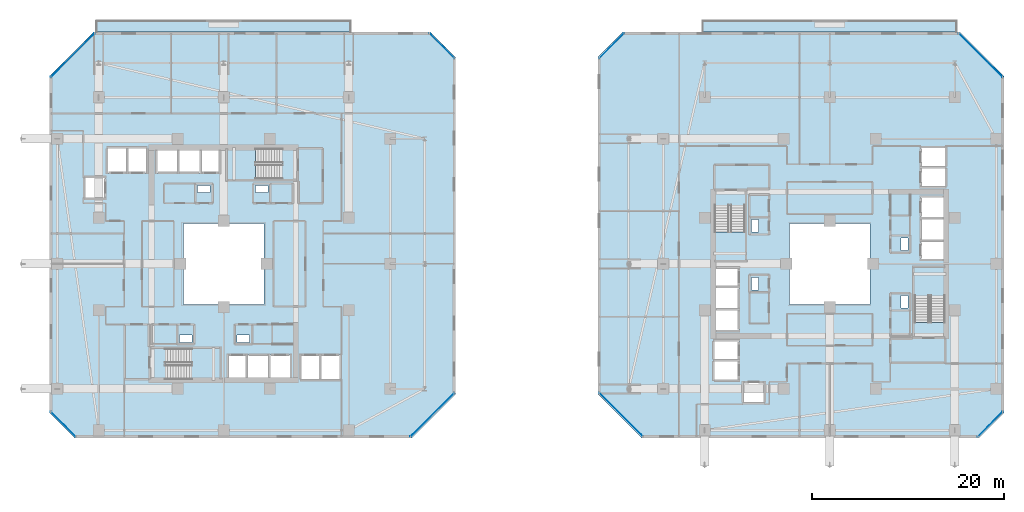
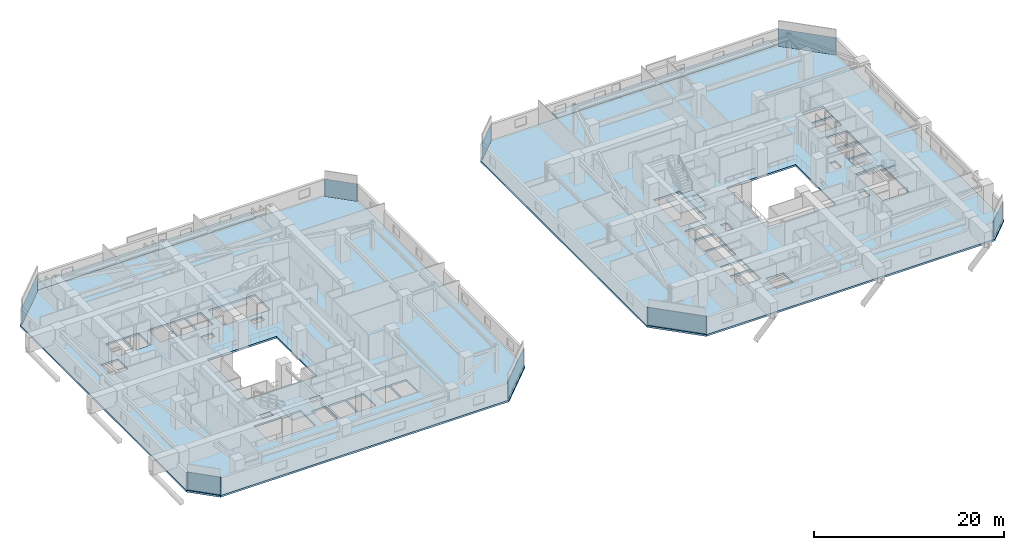
# One storey, part 16 of 36: 8 plates, 8 slabs, 12 elements without a shape of their own.
"""IFC4 building model written with IfcOpenShell, lengths in metres."""

from ifc_helpers import new_model, si_unit, direction, frame, origin, origin_2d, place, context, subcontext, project, spatial, polyline, rectangle, outline, extrude, material, layer, layer_set, type_object, element, aggregate, save


model = new_model("IFC4")

# Units and contexts
model_context = context("Model", 3, precision=1e-05, world=origin(), true_north=direction((0.0, 1.0)))
body_context = subcontext(model_context, "Body", "Model", "MODEL_VIEW")
ifc_project = project(units=[si_unit("LENGTHUNIT", "METRE"), si_unit("AREAUNIT", "SQUARE_METRE"), si_unit("VOLUMEUNIT", "CUBIC_METRE"), si_unit("PLANEANGLEUNIT", "RADIAN"), si_unit("MASSUNIT", "GRAM", prefix="KILO")], contexts=[model_context])

# Site, building, storey
site_placement = place(None, origin())
site = spatial("IfcSite", under=ifc_project, at=site_placement, CompositionType="ELEMENT")
building_placement = place(site_placement, origin())
building = spatial("IfcBuilding", under=site, at=building_placement, Name="Thornwick Lancets Civic Towers", CompositionType="ELEMENT")
storey_placement = place(building_placement, frame((0.0, 0.0, 94.5)))
storey = spatial("IfcBuildingStorey", under=building, at=storey_placement, Name="L24", CompositionType="ELEMENT", Elevation=94.5)

# Curtain wall, plate
ifc_material_1 = material(Name="Low-zone chamfered-corner unitised glass curtain wall", Category="glass")
curtain_wall_type = type_object("IfcCurtainWallType", Name="CW_SYS_03", PredefinedType="NOTDEFINED", material=ifc_material_1)
curtain_wall_1_placement = place(storey_placement, origin())
curtain_wall_1 = element("IfcCurtainWall", 1, at=curtain_wall_1_placement, inside=storey, type_object=curtain_wall_type, Name="L24 Curtain Wall CW-L24-A-E1", PredefinedType="NOTDEFINED")
ifc_material_2 = material(Name="Low-e double glazing clear glass", Category="glass")
ifc_layer_1 = layer(ifc_material_2, 0.035888671875, Name="Low-e double glazing clear glass")
ifc_layer_set_1 = layer_set([ifc_layer_1], Name="Low-e double glazing clear glass")
plate_type = type_object("IfcPlateType", Name="CW_PNL_GLASS", PredefinedType="CURTAIN_PANEL", material=ifc_layer_set_1)
plate_1_placement = place(storey_placement, frame((47.191650390625, 11.308349609375, 0.0), z_axis=(0.0, 0.0, 1.0), x_axis=(0.707106781187, 0.707106781187, 0.0)))
plate_1 = element("IfcPlate", 2, at=plate_1_placement, type_object=plate_type, Name="CW-L24-A-E1 Panel 0", PredefinedType="CURTAIN_PANEL", context=body_context, shape_type="SweptSolid", body=[
    extrude(rectangle(XDim=6.406982421875, YDim=0.035888671875, at=origin_2d()), origin(), (0.0, 0.0, 1.0), 2.219970703125),
])
aggregate(curtain_wall_1, [plate_1])

curtain_wall_2_placement = place(storey_placement, origin())
curtain_wall_2 = element("IfcCurtainWall", 3, at=curtain_wall_2_placement, inside=storey, type_object=curtain_wall_type, Name="L24 Curtain Wall CW-L24-A-E3", PredefinedType="NOTDEFINED")
plate_2_placement = place(storey_placement, frame((48.173095703125, 49.673095703125, 0.0), z_axis=(0.0, 0.0, 1.0), x_axis=(-0.707106781187, 0.707106781187, 0.0)))
plate_2 = element("IfcPlate", 4, at=plate_2_placement, type_object=plate_type, Name="CW-L24-A-E3 Panel 0", PredefinedType="CURTAIN_PANEL", context=body_context, shape_type="SweptSolid", body=[
    extrude(rectangle(XDim=3.6494140625, YDim=0.035888671875, at=origin_2d()), origin(), (0.0, 0.0, 1.0), 2.219970703125),
])
aggregate(curtain_wall_2, [plate_2])

curtain_wall_3_placement = place(storey_placement, origin())
curtain_wall_3 = element("IfcCurtainWall", 5, at=curtain_wall_3_placement, inside=storey, type_object=curtain_wall_type, Name="L24 Curtain Wall CW-L24-A-E5", PredefinedType="NOTDEFINED")
plate_3_placement = place(storey_placement, frame((9.808349609375, 48.691650390625, 0.0), z_axis=(0.0, 0.0, 1.0), x_axis=(-0.707106781187, -0.707106781187, 0.0)))
plate_3 = element("IfcPlate", 6, at=plate_3_placement, type_object=plate_type, Name="CW-L24-A-E5 Panel 0", PredefinedType="CURTAIN_PANEL", context=body_context, shape_type="SweptSolid", body=[
    extrude(rectangle(XDim=6.406982421875, YDim=0.035888671875, at=origin_2d()), origin(), (0.0, 0.0, 1.0), 2.219970703125),
])
aggregate(curtain_wall_3, [plate_3])

curtain_wall_4_placement = place(storey_placement, origin())
curtain_wall_4 = element("IfcCurtainWall", 7, at=curtain_wall_4_placement, inside=storey, type_object=curtain_wall_type, Name="L24 Curtain Wall CW-L24-A-E7", PredefinedType="NOTDEFINED")
plate_4_placement = place(storey_placement, frame((8.826904296875, 10.326904296875, 0.0), z_axis=(0.0, 0.0, 1.0), x_axis=(0.707106781187, -0.707106781187, 0.0)))
plate_4 = element("IfcPlate", 8, at=plate_4_placement, type_object=plate_type, Name="CW-L24-A-E7 Panel 0", PredefinedType="CURTAIN_PANEL", context=body_context, shape_type="SweptSolid", body=[
    extrude(rectangle(XDim=3.6494140625, YDim=0.035888671875, at=origin_2d()), origin(), (0.0, 0.0, 1.0), 2.219970703125),
])
aggregate(curtain_wall_4, [plate_4])

curtain_wall_5_placement = place(storey_placement, origin())
curtain_wall_5 = element("IfcCurtainWall", 9, at=curtain_wall_5_placement, inside=storey, type_object=curtain_wall_type, Name="L24 Curtain Wall CW-L24-B-E1", PredefinedType="NOTDEFINED")
plate_5_placement = place(storey_placement, frame((105.173095703125, 10.326904296875, 0.0), z_axis=(0.0, 0.0, 1.0), x_axis=(0.707106781187, 0.707106781187, 0.0)))
plate_5 = element("IfcPlate", 10, at=plate_5_placement, type_object=plate_type, Name="CW-L24-B-E1 Panel 0", PredefinedType="CURTAIN_PANEL", context=body_context, shape_type="SweptSolid", body=[
    extrude(rectangle(XDim=3.6494140625, YDim=0.035888671875, at=origin_2d()), origin(), (0.0, 0.0, 1.0), 2.219970703125),
])
aggregate(curtain_wall_5, [plate_5])

curtain_wall_6_placement = place(storey_placement, origin())
curtain_wall_6 = element("IfcCurtainWall", 11, at=curtain_wall_6_placement, inside=storey, type_object=curtain_wall_type, Name="L24 Curtain Wall CW-L24-B-E3", PredefinedType="NOTDEFINED")
plate_6_placement = place(storey_placement, frame((104.191650390625, 48.691650390625, 0.0), z_axis=(0.0, 0.0, 1.0), x_axis=(-0.707106781187, 0.707106781187, 0.0)))
plate_6 = element("IfcPlate", 12, at=plate_6_placement, type_object=plate_type, Name="CW-L24-B-E3 Panel 0", PredefinedType="CURTAIN_PANEL", context=body_context, shape_type="SweptSolid", body=[
    extrude(rectangle(XDim=6.406982421875, YDim=0.035888671875, at=origin_2d()), origin(), (0.0, 0.0, 1.0), 2.219970703125),
])
aggregate(curtain_wall_6, [plate_6])

curtain_wall_7_placement = place(storey_placement, origin())
curtain_wall_7 = element("IfcCurtainWall", 13, at=curtain_wall_7_placement, inside=storey, type_object=curtain_wall_type, Name="L24 Curtain Wall CW-L24-B-E5", PredefinedType="NOTDEFINED")
plate_7_placement = place(storey_placement, frame((65.826904296875, 49.673095703125, 0.0), z_axis=(0.0, 0.0, 1.0), x_axis=(-0.707106781187, -0.707106781187, 0.0)))
plate_7 = element("IfcPlate", 14, at=plate_7_placement, type_object=plate_type, Name="CW-L24-B-E5 Panel 0", PredefinedType="CURTAIN_PANEL", context=body_context, shape_type="SweptSolid", body=[
    extrude(rectangle(XDim=3.6494140625, YDim=0.035888671875, at=origin_2d()), origin(), (0.0, 0.0, 1.0), 2.219970703125),
])
aggregate(curtain_wall_7, [plate_7])

curtain_wall_8_placement = place(storey_placement, origin())
curtain_wall_8 = element("IfcCurtainWall", 15, at=curtain_wall_8_placement, inside=storey, type_object=curtain_wall_type, Name="L24 Curtain Wall CW-L24-B-E7", PredefinedType="NOTDEFINED")
plate_8_placement = place(storey_placement, frame((66.808349609375, 11.308349609375, 0.0), z_axis=(0.0, 0.0, 1.0), x_axis=(0.707106781187, -0.707106781187, 0.0)))
plate_8 = element("IfcPlate", 16, at=plate_8_placement, type_object=plate_type, Name="CW-L24-B-E7 Panel 0", PredefinedType="CURTAIN_PANEL", context=body_context, shape_type="SweptSolid", body=[
    extrude(rectangle(XDim=6.406982421875, YDim=0.035888671875, at=origin_2d()), origin(), (0.0, 0.0, 1.0), 2.219970703125),
])
aggregate(curtain_wall_8, [plate_8])

# Slabs
ifc_material_3 = material(Name="Post-tensioned concrete C40/50", Category="concrete")
ifc_layer_2 = layer(ifc_material_3, 0.199951171875, Name="Post-tensioned concrete C40/50")
ifc_layer_set_2 = layer_set([ifc_layer_2], Name="Post-tensioned concrete C40/50")
slab_type_1 = type_object("IfcSlabType", Name="SLAB_BALCONY_200", PredefinedType="FLOOR", material=ifc_layer_set_2)
slab_1_placement = place(storey_placement, frame((0.0, 0.0, -0.199951171875)))
element("IfcSlab", 17, at=slab_1_placement, inside=storey, type_object=slab_type_1, Name="L24 Tower A Planted Balcony Slab N", PredefinedType="FLOOR", context=body_context, shape_type="SweptSolid", body=[
    extrude(outline(polyline([(12.300048828125, 51.10009765625), (38.699951171875, 51.10009765625), (38.699951171875, 52.35009765625), (12.300048828125, 52.35009765625), (12.300048828125, 51.10009765625)])), origin(), (0.0, 0.0, 1.0), 0.199951171875),
])
slab_2_placement = place(storey_placement, frame((0.0, 0.0, -0.199951171875)))
element("IfcSlab", 18, at=slab_2_placement, inside=storey, type_object=slab_type_1, Name="L24 Tower B Planted Balcony Slab N", PredefinedType="FLOOR", context=body_context, shape_type="SweptSolid", body=[
    extrude(outline(polyline([(75.300048828125, 51.10009765625), (101.699951171875, 51.10009765625), (101.699951171875, 52.35009765625), (75.300048828125, 52.35009765625), (75.300048828125, 51.10009765625)])), origin(), (0.0, 0.0, 1.0), 0.199951171875),
])

# Stair, slab
ifc_material_4 = material(Name="Concrete C40/50", Category="concrete")
stair_type = type_object("IfcStairType", Name="STAIR_DL_3600", PredefinedType="HALF_TURN_STAIR", material=ifc_material_4)
stair_1_placement = place(storey_placement, origin())
stair_1 = element("IfcStair", 19, at=stair_1_placement, inside=storey, type_object=stair_type, Name="L24 Tower A South Exit Stair ST-A1", PredefinedType="HALF_TURN_STAIR")
ifc_layer_3 = layer(ifc_material_4, 0.25, Name="Concrete C40/50")
ifc_layer_set_3 = layer_set([ifc_layer_3], Name="Concrete C40/50")
slab_type_2 = type_object("IfcSlabType", Name="SLAB_LANDING_200", PredefinedType="LANDING", material=ifc_layer_set_3)
slab_3_placement = place(storey_placement, frame((0.0, 0.0, 1.60302734375)))
slab_3 = element("IfcSlab", 20, at=slab_3_placement, type_object=slab_type_2, Name="ST-A1 landing 1", PredefinedType="LANDING", context=body_context, shape_type="SweptSolid", body=[
    extrude(outline(polyline([(22.169921875, 14.93994140625), (25.14990234375, 14.93994140625), (25.14990234375, 18.260009765625), (22.169921875, 18.260009765625), (22.169921875, 14.93994140625)])), origin(), (0.0, 0.0, 1.0), 0.199951171875),
])
aggregate(stair_1, [slab_3])

stair_2_placement = place(storey_placement, origin())
stair_2 = element("IfcStair", 21, at=stair_2_placement, inside=storey, type_object=stair_type, Name="L24 Tower A North Exit Stair ST-A2", PredefinedType="HALF_TURN_STAIR")
slab_4_placement = place(storey_placement, frame((0.0, 0.0, 1.60302734375)))
slab_4 = element("IfcSlab", 22, at=slab_4_placement, type_object=slab_type_2, Name="ST-A2 landing 1", PredefinedType="LANDING", context=body_context, shape_type="SweptSolid", body=[
    extrude(outline(polyline([(28.830078125, 39.06005859375), (25.85009765625, 39.06005859375), (25.85009765625, 35.739990234375), (28.830078125, 35.739990234375), (28.830078125, 39.06005859375)])), origin(), (0.0, 0.0, 1.0), 0.199951171875),
])
aggregate(stair_2, [slab_4])

stair_3_placement = place(storey_placement, origin())
stair_3 = element("IfcStair", 23, at=stair_3_placement, inside=storey, type_object=stair_type, Name="L24 Tower B East Exit Stair ST-B1", PredefinedType="HALF_TURN_STAIR")
slab_5_placement = place(storey_placement, frame((0.0, 0.0, 1.60302734375)))
slab_5 = element("IfcSlab", 24, at=slab_5_placement, type_object=slab_type_2, Name="ST-B1 landing 1", PredefinedType="LANDING", context=body_context, shape_type="SweptSolid", body=[
    extrude(outline(polyline([(100.56005859375, 23.669921875), (100.56005859375, 26.64990234375), (97.239990234375, 26.64990234375), (97.239990234375, 23.669921875), (100.56005859375, 23.669921875)])), origin(), (0.0, 0.0, 1.0), 0.199951171875),
])
aggregate(stair_3, [slab_5])

stair_4_placement = place(storey_placement, origin())
stair_4 = element("IfcStair", 25, at=stair_4_placement, inside=storey, type_object=stair_type, Name="L24 Tower B West Exit Stair ST-B2", PredefinedType="HALF_TURN_STAIR")
slab_6_placement = place(storey_placement, frame((0.0, 0.0, 1.60302734375)))
slab_6 = element("IfcSlab", 26, at=slab_6_placement, type_object=slab_type_2, Name="ST-B2 landing 1", PredefinedType="LANDING", context=body_context, shape_type="SweptSolid", body=[
    extrude(outline(polyline([(76.43994140625, 30.330078125), (76.43994140625, 27.35009765625), (79.760009765625, 27.35009765625), (79.760009765625, 30.330078125), (76.43994140625, 30.330078125)])), origin(), (0.0, 0.0, 1.0), 0.199951171875),
])
aggregate(stair_4, [slab_6])

# Slabs
ifc_layer_4 = layer(ifc_material_3, 0.239990234375, Name="Post-tensioned concrete C40/50")
ifc_layer_set_4 = layer_set([ifc_layer_4], Name="Post-tensioned concrete C40/50")
slab_type_3 = type_object("IfcSlabType", Name="SLAB_PT_240", PredefinedType="FLOOR", material=ifc_layer_set_4)
slab_7_placement = place(storey_placement, frame((0.0, 0.0, -0.239990234375)))
element("IfcSlab", 27, at=slab_7_placement, inside=storey, type_object=slab_type_3, Name="L24 Tower A Floor Slab", PredefinedType="FLOOR", context=body_context, shape_type="SweptSolid", body=[
    extrude(outline(polyline([(10.0, 8.89990234375), (45.035888671875, 8.89990234375), (49.60009765625, 13.464111328125), (49.60009765625, 48.5), (47.0, 51.10009765625), (11.964111328125, 51.10009765625), (7.39990234375, 46.535888671875), (7.39990234375, 11.5), (10.0, 8.89990234375)]), holes=[polyline([(21.300048828125, 22.800048828125), (29.699951171875, 22.800048828125), (29.699951171875, 31.199951171875), (21.300048828125, 31.199951171875), (21.300048828125, 22.800048828125)]), polyline([(19.429931640625, 15.0), (25.10009765625, 15.0), (25.10009765625, 18.199951171875), (19.429931640625, 18.199951171875), (19.429931640625, 15.0)]), polyline([(31.570068359375, 39.0), (25.89990234375, 39.0), (25.89990234375, 35.800048828125), (31.570068359375, 35.800048828125), (31.570068359375, 39.0)]), polyline([(26.0, 15.0), (27.800048828125, 15.0), (27.800048828125, 17.550048828125), (26.0, 17.550048828125), (26.0, 15.0)]), polyline([(28.0, 15.0), (30.14990234375, 15.0), (30.14990234375, 17.550048828125), (28.0, 17.550048828125), (28.0, 15.0)]), polyline([(30.35009765625, 15.0), (32.39990234375, 15.0), (32.39990234375, 17.550048828125), (30.35009765625, 17.550048828125), (30.35009765625, 15.0)]), polyline([(33.550048828125, 15.0), (35.449951171875, 15.0), (35.449951171875, 17.550048828125), (33.550048828125, 17.550048828125), (33.550048828125, 15.0)]), polyline([(35.60009765625, 15.0), (37.550048828125, 15.0), (37.550048828125, 17.550048828125), (35.60009765625, 17.550048828125), (35.60009765625, 15.0)]), polyline([(23.199951171875, 36.449951171875), (25.0, 36.449951171875), (25.0, 39.0), (23.199951171875, 39.0), (23.199951171875, 36.449951171875)]), polyline([(20.85009765625, 36.449951171875), (23.0, 36.449951171875), (23.0, 39.0), (20.85009765625, 39.0), (20.85009765625, 36.449951171875)]), polyline([(18.60009765625, 36.449951171875), (20.699951171875, 36.449951171875), (20.699951171875, 39.0), (18.60009765625, 39.0), (18.60009765625, 36.449951171875)]), polyline([(15.550048828125, 36.449951171875), (17.449951171875, 36.449951171875), (17.449951171875, 39.0), (15.550048828125, 39.0), (15.550048828125, 36.449951171875)]), polyline([(13.449951171875, 36.449951171875), (15.39990234375, 36.449951171875), (15.39990234375, 39.0), (13.449951171875, 39.0), (13.449951171875, 36.449951171875)]), polyline([(11.10009765625, 33.85009765625), (13.199951171875, 33.85009765625), (13.199951171875, 35.949951171875), (11.10009765625, 35.949951171875), (11.10009765625, 33.85009765625)]), polyline([(26.89990234375, 18.85009765625), (28.199951171875, 18.85009765625), (28.199951171875, 19.580078125), (26.89990234375, 19.580078125), (26.89990234375, 18.85009765625)]), polyline([(20.89990234375, 18.85009765625), (22.199951171875, 18.85009765625), (22.199951171875, 19.580078125), (20.89990234375, 19.580078125), (20.89990234375, 18.85009765625)]), polyline([(22.800048828125, 34.419921875), (24.10009765625, 34.419921875), (24.10009765625, 35.14990234375), (22.800048828125, 35.14990234375), (22.800048828125, 34.419921875)]), polyline([(28.800048828125, 34.419921875), (30.10009765625, 34.419921875), (30.10009765625, 35.14990234375), (28.800048828125, 35.14990234375), (28.800048828125, 34.419921875)])]), origin(), (0.0, 0.0, 1.0), 0.239990234375),
])
slab_8_placement = place(storey_placement, frame((0.0, 0.0, -0.239990234375)))
element("IfcSlab", 28, at=slab_8_placement, inside=storey, type_object=slab_type_3, Name="L24 Tower B Floor Slab", PredefinedType="FLOOR", context=body_context, shape_type="SweptSolid", body=[
    extrude(outline(polyline([(68.964111328125, 8.89990234375), (104.0, 8.89990234375), (106.60009765625, 11.5), (106.60009765625, 46.535888671875), (102.035888671875, 51.10009765625), (67.0, 51.10009765625), (64.39990234375, 48.5), (64.39990234375, 13.464111328125), (68.964111328125, 8.89990234375)]), holes=[polyline([(84.300048828125, 22.800048828125), (92.699951171875, 22.800048828125), (92.699951171875, 31.199951171875), (84.300048828125, 31.199951171875), (84.300048828125, 22.800048828125)]), polyline([(100.5, 20.929931640625), (100.5, 26.60009765625), (97.300048828125, 26.60009765625), (97.300048828125, 20.929931640625), (100.5, 20.929931640625)]), polyline([(76.5, 33.070068359375), (76.5, 27.39990234375), (79.699951171875, 27.39990234375), (79.699951171875, 33.070068359375), (76.5, 33.070068359375)]), polyline([(97.949951171875, 27.5), (100.5, 27.5), (100.5, 29.300048828125), (97.949951171875, 29.300048828125), (97.949951171875, 27.5)]), polyline([(97.949951171875, 29.5), (100.5, 29.5), (100.5, 31.64990234375), (97.949951171875, 31.64990234375), (97.949951171875, 29.5)]), polyline([(97.949951171875, 31.85009765625), (100.5, 31.85009765625), (100.5, 33.89990234375), (97.949951171875, 33.89990234375), (97.949951171875, 31.85009765625)]), polyline([(97.949951171875, 35.050048828125), (100.5, 35.050048828125), (100.5, 36.949951171875), (97.949951171875, 36.949951171875), (97.949951171875, 35.050048828125)]), polyline([(97.949951171875, 37.10009765625), (100.5, 37.10009765625), (100.5, 39.050048828125), (97.949951171875, 39.050048828125), (97.949951171875, 37.10009765625)]), polyline([(76.5, 24.699951171875), (79.050048828125, 24.699951171875), (79.050048828125, 26.5), (76.5, 26.5), (76.5, 24.699951171875)]), polyline([(76.5, 22.35009765625), (79.050048828125, 22.35009765625), (79.050048828125, 24.5), (76.5, 24.5), (76.5, 22.35009765625)]), polyline([(76.5, 20.10009765625), (79.050048828125, 20.10009765625), (79.050048828125, 22.199951171875), (76.5, 22.199951171875), (76.5, 20.10009765625)]), polyline([(76.5, 17.050048828125), (79.050048828125, 17.050048828125), (79.050048828125, 18.949951171875), (76.5, 18.949951171875), (76.5, 17.050048828125)]), polyline([(76.5, 14.949951171875), (79.050048828125, 14.949951171875), (79.050048828125, 16.89990234375), (76.5, 16.89990234375), (76.5, 14.949951171875)]), polyline([(79.550048828125, 12.60009765625), (81.64990234375, 12.60009765625), (81.64990234375, 14.699951171875), (79.550048828125, 14.699951171875), (79.550048828125, 12.60009765625)]), polyline([(95.919921875, 28.39990234375), (96.64990234375, 28.39990234375), (96.64990234375, 29.699951171875), (95.919921875, 29.699951171875), (95.919921875, 28.39990234375)]), polyline([(95.919921875, 22.39990234375), (96.64990234375, 22.39990234375), (96.64990234375, 23.699951171875), (95.919921875, 23.699951171875), (95.919921875, 22.39990234375)]), polyline([(80.35009765625, 24.300048828125), (81.080078125, 24.300048828125), (81.080078125, 25.60009765625), (80.35009765625, 25.60009765625), (80.35009765625, 24.300048828125)]), polyline([(80.35009765625, 30.300048828125), (81.080078125, 30.300048828125), (81.080078125, 31.60009765625), (80.35009765625, 31.60009765625), (80.35009765625, 30.300048828125)])]), origin(), (0.0, 0.0, 1.0), 0.239990234375),
])

save(model, "model.ifc")
